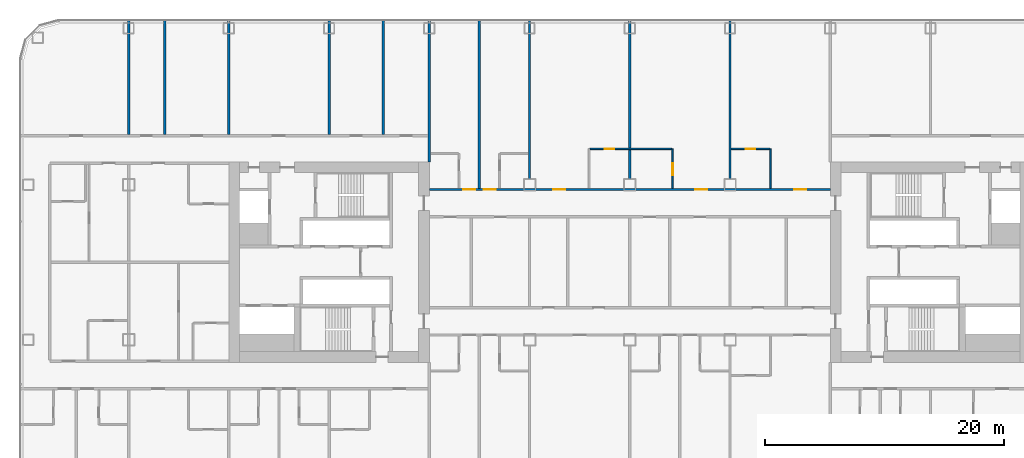
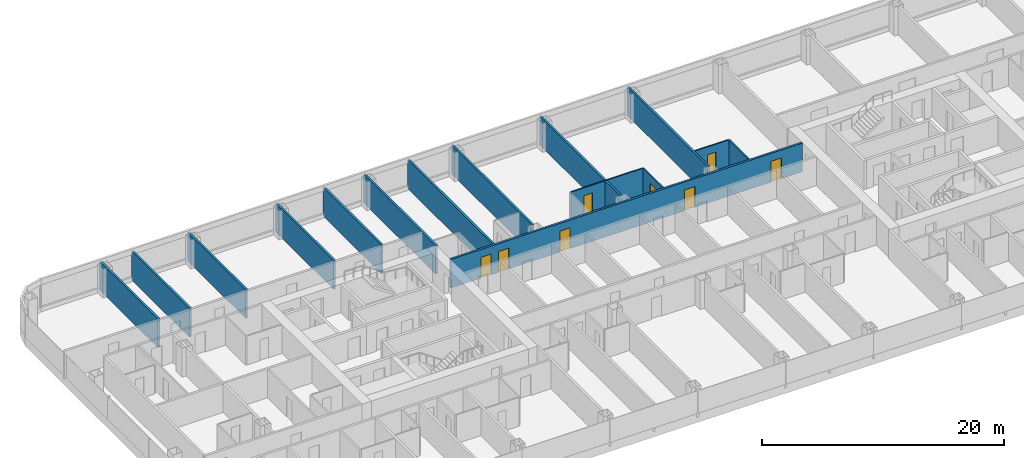
# One storey, part 17 of 29: 15 walls, 8 doors, 8 openings.
"""IFC4 building model written with IfcOpenShell, lengths in metres."""

from ifc_helpers import new_model, si_unit, direction, frame, frame_2d, origin, place, context, subcontext, project, spatial, rectangle, extrude, material, layer, layer_set, type_object, element, fill, save


model = new_model("IFC4")

# Units and contexts
model_context = context("Model", 3, precision=1e-05, world=origin(), true_north=direction((0.0, 1.0)))
body_context = subcontext(model_context, "Body", "Model", "MODEL_VIEW")
ifc_project = project(units=[si_unit("LENGTHUNIT", "METRE"), si_unit("AREAUNIT", "SQUARE_METRE"), si_unit("VOLUMEUNIT", "CUBIC_METRE"), si_unit("PLANEANGLEUNIT", "RADIAN"), si_unit("MASSUNIT", "GRAM", prefix="KILO")], contexts=[model_context])

# Site, building, storey
site_placement = place(None, origin())
site = spatial("IfcSite", under=ifc_project, at=site_placement, CompositionType="ELEMENT")
building_placement = place(site_placement, origin())
building = spatial("IfcBuilding", under=site, at=building_placement, Name="Hakoniwa Tower and Hamabe Station Hall", CompositionType="ELEMENT")
storey_placement = place(building_placement, frame((0.0, 0.0, 61.39990234375)))
storey = spatial("IfcBuildingStorey", under=building, at=storey_placement, Name="L17", CompositionType="ELEMENT", Elevation=61.39990234375)

# Wall, opening, door
ifc_material_1 = material(Name="Gypsum board partition", Category="gypsum")
ifc_layer_1 = layer(ifc_material_1, 0.125)
ifc_layer_set_1 = layer_set([ifc_layer_1], Name="Bathroom Partition 125")
wall_type_1 = type_object("IfcWallType", Name="Bathroom Partition 125", PredefinedType="PARTITIONING", material=ifc_layer_set_1)
wall_1_placement = place(storey_placement, frame((-3.33740234375, 9.5, 0.0), z_axis=(0.0, 0.0, 1.0), x_axis=(1.0, 0.0, 0.0)))
wall_1 = element("IfcWall", 1, at=wall_1_placement, inside=storey, type_object=wall_type_1, Name="GW-L17-040", PredefinedType="PARTITIONING", context=body_context, shape_type="SweptSolid", body=[
    extrude(rectangle(XDim=6.875, YDim=0.125, at=frame_2d((3.4375, 0.0))), origin(), (0.0, 0.0, 1.0), 2.900146484375),
])
opening_1_placement = place(wall_1_placement, frame((1.237548828125, 0.0, 0.0)))
opening_1 = element("IfcOpeningElement", 2, at=opening_1_placement, cuts=wall_1, Name="Opening GD-G1D2-51", PredefinedType="OPENING", context=body_context, shape_type="SweptSolid", body=[
    extrude(rectangle(XDim=0.800048828125, YDim=2.10009765625, at=frame_2d((0.39990234375, 1.050048828125))), frame((0.0, 0.072509765625, 0.0), z_axis=(0.0, -1.0, 0.0), x_axis=(1.0, 0.0, 0.0)), (0.0, 0.0, 1.0), 0.14501953125),
])
ifc_material_2 = material(Name="Timber door leaf", Category="wood")
door_type_1 = type_object("IfcDoorType", Name="Bathroom Door 800", OperationType="SINGLE_SWING_LEFT", PredefinedType="DOOR", material=ifc_material_2)
door_1_placement = place(opening_1_placement, origin())
door_1 = element("IfcDoor", 3, at=door_1_placement, inside=storey, type_object=door_type_1, Name="Door GD-G1D2-51", OperationType="SINGLE_SWING_LEFT", OverallHeight=2.10009765625, OverallWidth=0.800048828125, PredefinedType="DOOR", context=body_context, shape_type="SweptSolid", body=[
    extrude(rectangle(XDim=0.800048828125, YDim=2.10009765625, at=frame_2d((0.39990234375, 1.050048828125))), frame((0.0, 0.02490234375, 0.0), z_axis=(0.0, -1.0, 0.0), x_axis=(1.0, 0.0, 0.0)), (0.0, 0.0, 1.0), 0.050048828125),
])
fill(opening_1, door_1)

wall_2_placement = place(storey_placement, frame((8.5, 9.5, 0.0), z_axis=(0.0, 0.0, 1.0), x_axis=(1.0, 0.0, 0.0)))
wall_2 = element("IfcWall", 4, at=wall_2_placement, inside=storey, type_object=wall_type_1, Name="GW-L17-041", PredefinedType="PARTITIONING", context=body_context, shape_type="SweptSolid", body=[
    extrude(rectangle(XDim=3.237548828125, YDim=0.125, at=frame_2d((1.61865234375, 0.0))), origin(), (0.0, 0.0, 1.0), 2.900146484375),
])
opening_2_placement = place(wall_2_placement, frame((1.199951171875, 0.0, 0.0)))
opening_2 = element("IfcOpeningElement", 5, at=opening_2_placement, cuts=wall_2, Name="Opening GD-G1D2-52", PredefinedType="OPENING", context=body_context, shape_type="SweptSolid", body=[
    extrude(rectangle(XDim=0.800048828125, YDim=2.10009765625, at=frame_2d((0.39990234375, 1.050048828125))), frame((0.0, 0.072509765625, 0.0), z_axis=(0.0, -1.0, 0.0), x_axis=(1.0, 0.0, 0.0)), (0.0, 0.0, 1.0), 0.14501953125),
])
door_2_placement = place(opening_2_placement, origin())
door_2 = element("IfcDoor", 6, at=door_2_placement, inside=storey, type_object=door_type_1, Name="Door GD-G1D2-52", OperationType="SINGLE_SWING_RIGHT", OverallHeight=2.10009765625, OverallWidth=0.800048828125, PredefinedType="DOOR", context=body_context, shape_type="SweptSolid", body=[
    extrude(rectangle(XDim=0.800048828125, YDim=2.10009765625, at=frame_2d((0.39990234375, 1.050048828125))), frame((0.0, 0.02490234375, 0.0), z_axis=(0.0, -1.0, 0.0), x_axis=(1.0, 0.0, 0.0)), (0.0, 0.0, 1.0), 0.050048828125),
])
fill(opening_2, door_2)

wall_3_placement = place(storey_placement, frame((3.60009765625, 6.199951171875, 0.0), z_axis=(0.0, 0.0, 1.0), x_axis=(0.0, 1.0, 0.0)))
wall_3 = element("IfcWall", 7, at=wall_3_placement, inside=storey, type_object=wall_type_1, Name="GW-L17-087", PredefinedType="PARTITIONING", context=body_context, shape_type="SweptSolid", body=[
    extrude(rectangle(XDim=3.300048828125, YDim=0.125, at=frame_2d((1.64990234375, 0.0))), origin(), (0.0, 0.0, 1.0), 2.900146484375),
])
opening_3_placement = place(wall_3_placement, frame((1.10009765625, 0.0, 0.0)))
opening_3 = element("IfcOpeningElement", 8, at=opening_3_placement, cuts=wall_3, Name="Opening GD-G1D2-74", PredefinedType="OPENING", context=body_context, shape_type="SweptSolid", body=[
    extrude(rectangle(XDim=1.0, YDim=2.10009765625, at=frame_2d((0.5, 1.050048828125))), frame((0.0, 0.072509765625, 0.0), z_axis=(0.0, -1.0, 0.0), x_axis=(1.0, 0.0, 0.0)), (0.0, 0.0, 1.0), 0.14501953125),
])
ifc_material_3 = material(Name="Timber door leaf", Category="wood")
door_type_2 = type_object("IfcDoorType", Name="Accessible Bathroom Door 1000", OperationType="SINGLE_SWING_LEFT", PredefinedType="DOOR", material=ifc_material_3)
door_3_placement = place(opening_3_placement, origin())
door_3 = element("IfcDoor", 9, at=door_3_placement, inside=storey, type_object=door_type_2, Name="Door GD-G1D2-74", OperationType="SINGLE_SWING_LEFT", OverallHeight=2.10009765625, OverallWidth=1.0, PredefinedType="DOOR", context=body_context, shape_type="SweptSolid", body=[
    extrude(rectangle(XDim=1.0, YDim=2.10009765625, at=frame_2d((0.5, 1.050048828125))), frame((0.0, 0.02490234375, 0.0), z_axis=(0.0, -1.0, 0.0), x_axis=(1.0, 0.0, 0.0)), (0.0, 0.0, 1.0), 0.050048828125),
])
fill(opening_3, door_3)

# Wall
wall_4_placement = place(storey_placement, frame((11.800048828125, 6.199951171875, 0.0), z_axis=(0.0, 0.0, 1.0), x_axis=(0.0, 1.0, 0.0)))
element("IfcWall", 10, at=wall_4_placement, inside=storey, type_object=wall_type_1, Name="GW-L17-094", PredefinedType="PARTITIONING", context=body_context, shape_type="SweptSolid", body=[
    extrude(rectangle(XDim=3.300048828125, YDim=0.125, at=frame_2d((1.64990234375, 0.0))), origin(), (0.0, 0.0, 1.0), 2.900146484375),
])

# Wall, openings, doors
ifc_material_4 = material(Name="Fire-rated gypsum board partition", Category="gypsum")
ifc_layer_2 = layer(ifc_material_4, 0.199951171875)
ifc_layer_set_2 = layer_set([ifc_layer_2], Name="Corridor Wall 200")
wall_type_2 = type_object("IfcWallType", Name="Corridor Wall 200", PredefinedType="PARTITIONING", material=ifc_layer_set_2)
wall_5_placement = place(storey_placement, frame((-16.800048828125, 6.10009765625, 0.0), z_axis=(0.0, 0.0, 1.0), x_axis=(1.0, 0.0, 0.0)))
wall_5 = element("IfcWall", 11, at=wall_5_placement, inside=storey, type_object=wall_type_2, Name="GW-L17-035", PredefinedType="PARTITIONING", context=body_context, shape_type="SweptSolid", body=[
    extrude(rectangle(XDim=33.60009765625, YDim=0.199951171875, at=frame_2d((16.800048828125, 0.0))), origin(), (0.0, 0.0, 1.0), 2.900146484375),
])
opening_4_placement = place(wall_5_placement, frame((2.85009765625, 0.0, 0.0)))
opening_4 = element("IfcOpeningElement", 12, at=opening_4_placement, cuts=wall_5, Name="Opening GD-G1D2-42", PredefinedType="OPENING", context=body_context, shape_type="SweptSolid", body=[
    extrude(rectangle(XDim=1.0, YDim=2.10009765625, at=frame_2d((0.5, 1.050048828125))), frame((0.0, 0.10986328125, 0.0), z_axis=(0.0, -1.0, 0.0), x_axis=(1.0, 0.0, 0.0)), (0.0, 0.0, 1.0), 0.219970703125),
])
opening_5_placement = place(wall_5_placement, frame((4.550048828125, 0.0, 0.0)))
opening_5 = element("IfcOpeningElement", 13, at=opening_5_placement, cuts=wall_5, Name="Opening GD-G1D2-43", PredefinedType="OPENING", context=body_context, shape_type="SweptSolid", body=[
    extrude(rectangle(XDim=1.0, YDim=2.10009765625, at=frame_2d((0.5, 1.050048828125))), frame((0.0, 0.10986328125, 0.0), z_axis=(0.0, -1.0, 0.0), x_axis=(1.0, 0.0, 0.0)), (0.0, 0.0, 1.0), 0.219970703125),
])
opening_6_placement = place(wall_5_placement, frame((10.39990234375, 0.0, 0.0)))
opening_6 = element("IfcOpeningElement", 14, at=opening_6_placement, cuts=wall_5, Name="Opening GD-G1D2-44", PredefinedType="OPENING", context=body_context, shape_type="SweptSolid", body=[
    extrude(rectangle(XDim=1.0, YDim=2.10009765625, at=frame_2d((0.5, 1.050048828125))), frame((0.0, 0.10986328125, 0.0), z_axis=(0.0, -1.0, 0.0), x_axis=(1.0, 0.0, 0.0)), (0.0, 0.0, 1.0), 0.219970703125),
])
opening_7_placement = place(wall_5_placement, frame((22.300048828125, 0.0, 0.0)))
opening_7 = element("IfcOpeningElement", 15, at=opening_7_placement, cuts=wall_5, Name="Opening GD-G1D2-45", PredefinedType="OPENING", context=body_context, shape_type="SweptSolid", body=[
    extrude(rectangle(XDim=1.0, YDim=2.10009765625, at=frame_2d((0.5, 1.050048828125))), frame((0.0, 0.10986328125, 0.0), z_axis=(0.0, -1.0, 0.0), x_axis=(1.0, 0.0, 0.0)), (0.0, 0.0, 1.0), 0.219970703125),
])
opening_8_placement = place(wall_5_placement, frame((30.60009765625, 0.0, 0.0)))
opening_8 = element("IfcOpeningElement", 16, at=opening_8_placement, cuts=wall_5, Name="Opening GD-G1D2-46", PredefinedType="OPENING", context=body_context, shape_type="SweptSolid", body=[
    extrude(rectangle(XDim=1.0, YDim=2.10009765625, at=frame_2d((0.5, 1.050048828125))), frame((0.0, 0.10986328125, 0.0), z_axis=(0.0, -1.0, 0.0), x_axis=(1.0, 0.0, 0.0)), (0.0, 0.0, 1.0), 0.219970703125),
])
ifc_material_5 = material(Name="Timber door leaf", Category="wood")
door_type_3 = type_object("IfcDoorType", Name="Accessible Guest Entrance Door 1000", OperationType="SINGLE_SWING_LEFT", PredefinedType="DOOR", material=ifc_material_5)
door_4_placement = place(opening_7_placement, origin())
door_4 = element("IfcDoor", 17, at=door_4_placement, inside=storey, type_object=door_type_3, Name="Door GD-G1D2-45", OperationType="SINGLE_SWING_LEFT", OverallHeight=2.10009765625, OverallWidth=1.0, PredefinedType="DOOR", context=body_context, shape_type="SweptSolid", body=[
    extrude(rectangle(XDim=1.0, YDim=2.10009765625, at=frame_2d((0.5, 1.050048828125))), frame((0.0, 0.02490234375, 0.0), z_axis=(0.0, -1.0, 0.0), x_axis=(1.0, 0.0, 0.0)), (0.0, 0.0, 1.0), 0.050048828125),
])
fill(opening_7, door_4)
ifc_material_6 = material(Name="Timber door leaf", Category="wood")
door_type_4 = type_object("IfcDoorType", Name="Guest Entrance Door 1000", OperationType="SINGLE_SWING_LEFT", PredefinedType="DOOR", material=ifc_material_6)
door_5_placement = place(opening_4_placement, origin())
door_5 = element("IfcDoor", 18, at=door_5_placement, inside=storey, type_object=door_type_4, Name="Door GD-G1D2-42", OperationType="SINGLE_SWING_RIGHT", OverallHeight=2.10009765625, OverallWidth=1.0, PredefinedType="DOOR", context=body_context, shape_type="SweptSolid", body=[
    extrude(rectangle(XDim=1.0, YDim=2.10009765625, at=frame_2d((0.5, 1.050048828125))), frame((0.0, 0.02490234375, 0.0), z_axis=(0.0, -1.0, 0.0), x_axis=(1.0, 0.0, 0.0)), (0.0, 0.0, 1.0), 0.050048828125),
])
fill(opening_4, door_5)
door_6_placement = place(opening_5_placement, origin())
door_6 = element("IfcDoor", 19, at=door_6_placement, inside=storey, type_object=door_type_4, Name="Door GD-G1D2-43", OperationType="SINGLE_SWING_LEFT", OverallHeight=2.10009765625, OverallWidth=1.0, PredefinedType="DOOR", context=body_context, shape_type="SweptSolid", body=[
    extrude(rectangle(XDim=1.0, YDim=2.10009765625, at=frame_2d((0.5, 1.050048828125))), frame((0.0, 0.02490234375, 0.0), z_axis=(0.0, -1.0, 0.0), x_axis=(1.0, 0.0, 0.0)), (0.0, 0.0, 1.0), 0.050048828125),
])
fill(opening_5, door_6)
door_7_placement = place(opening_6_placement, origin())
door_7 = element("IfcDoor", 20, at=door_7_placement, inside=storey, type_object=door_type_4, Name="Door GD-G1D2-44", OperationType="SINGLE_SWING_RIGHT", OverallHeight=2.10009765625, OverallWidth=1.0, PredefinedType="DOOR", context=body_context, shape_type="SweptSolid", body=[
    extrude(rectangle(XDim=1.0, YDim=2.10009765625, at=frame_2d((0.5, 1.050048828125))), frame((0.0, 0.02490234375, 0.0), z_axis=(0.0, -1.0, 0.0), x_axis=(1.0, 0.0, 0.0)), (0.0, 0.0, 1.0), 0.050048828125),
])
fill(opening_6, door_7)
door_8_placement = place(opening_8_placement, origin())
door_8 = element("IfcDoor", 21, at=door_8_placement, inside=storey, type_object=door_type_4, Name="Door GD-G1D2-46", OperationType="SINGLE_SWING_RIGHT", OverallHeight=2.10009765625, OverallWidth=1.0, PredefinedType="DOOR", context=body_context, shape_type="SweptSolid", body=[
    extrude(rectangle(XDim=1.0, YDim=2.10009765625, at=frame_2d((0.5, 1.050048828125))), frame((0.0, 0.02490234375, 0.0), z_axis=(0.0, -1.0, 0.0), x_axis=(1.0, 0.0, 0.0)), (0.0, 0.0, 1.0), 0.050048828125),
])
fill(opening_8, door_8)

# Walls
ifc_material_7 = material(Name="Fire-rated gypsum board partition", Category="gypsum")
ifc_layer_3 = layer(ifc_material_7, 0.199951171875)
ifc_layer_set_3 = layer_set([ifc_layer_3], Name="Party Wall 200")
wall_type_3 = type_object("IfcWallType", Name="Party Wall 200", PredefinedType="PARTITIONING", material=ifc_layer_set_3)
for number, where, z_axis, x_axis, name in (
    (22, (-42.0, 10.699951171875, 0.0), (0.0, 0.0, 1.0), (0.0, 1.0, 0.0), "GW-L17-053"),
    (23, (-38.97998046875, 10.699951171875, 0.0), (0.0, 0.0, 1.0), (0.0, 1.0, 0.0), "GW-L17-054"),
    (24, (-33.60009765625, 10.699951171875, 0.0), (0.0, 0.0, 1.0), (0.0, 1.0, 0.0), "GW-L17-060"),
    (25, (-25.199951171875, 10.699951171875, 0.0), (0.0, 0.0, 1.0), (0.0, 1.0, 0.0), "GW-L17-065"),
    (26, (-20.659912109375, 10.699951171875, 0.0), (0.0, 0.0, 1.0), (0.0, 1.0, 0.0), "GW-L17-067"),
):
    element("IfcWall", number, at=place(storey_placement, frame(where, z_axis=z_axis, x_axis=x_axis)), inside=storey, type_object=wall_type_3, Name=name, PredefinedType="PARTITIONING", context=body_context, shape_type="SweptSolid", body=[
        extrude(rectangle(XDim=9.60009765625, YDim=0.199951171875, at=frame_2d((4.800048828125, 0.0))), origin(), (0.0, 0.0, 1.0), 2.900146484375),
    ])
wall_6_placement = place(storey_placement, frame((-16.800048828125, 8.389892578125, 0.0), z_axis=(0.0, 0.0, 1.0), x_axis=(0.0, 1.0, 0.0)))
element("IfcWall", 27, at=wall_6_placement, inside=storey, type_object=wall_type_3, Name="GW-L17-069", PredefinedType="PARTITIONING", context=body_context, shape_type="SweptSolid", body=[
    extrude(rectangle(XDim=11.91015625, YDim=0.199951171875, at=frame_2d((5.955078125, 0.0))), origin(), (0.0, 0.0, 1.0), 2.900146484375),
])
wall_7_placement = place(storey_placement, frame((-12.60009765625, 6.199951171875, 0.0), z_axis=(0.0, 0.0, 1.0), x_axis=(0.0, 1.0, 0.0)))
element("IfcWall", 28, at=wall_7_placement, inside=storey, type_object=wall_type_3, Name="GW-L17-074", PredefinedType="PARTITIONING", context=body_context, shape_type="SweptSolid", body=[
    extrude(rectangle(XDim=14.10009765625, YDim=0.199951171875, at=frame_2d((7.050048828125, 0.0))), origin(), (0.0, 0.0, 1.0), 2.900146484375),
])
for number, where, z_axis, x_axis, name in (
    (29, (-8.39990234375, 6.989990234375, 0.0), (0.0, 0.0, 1.0), (0.0, 1.0, 0.0), "GW-L17-079"),
    (30, (0.0, 6.989990234375, 0.0), (0.0, 0.0, 1.0), (0.0, 1.0, 0.0), "GW-L17-084"),
    (31, (8.39990234375, 6.989990234375, 0.0), (0.0, 0.0, 1.0), (0.0, 1.0, 0.0), "GW-L17-092"),
):
    element("IfcWall", number, at=place(storey_placement, frame(where, z_axis=z_axis, x_axis=x_axis)), inside=storey, type_object=wall_type_3, Name=name, PredefinedType="PARTITIONING", context=body_context, shape_type="SweptSolid", body=[
        extrude(rectangle(XDim=13.31005859375, YDim=0.199951171875, at=frame_2d((6.655029296875, 0.0))), origin(), (0.0, 0.0, 1.0), 2.900146484375),
    ])

save(model, "model.ifc")
